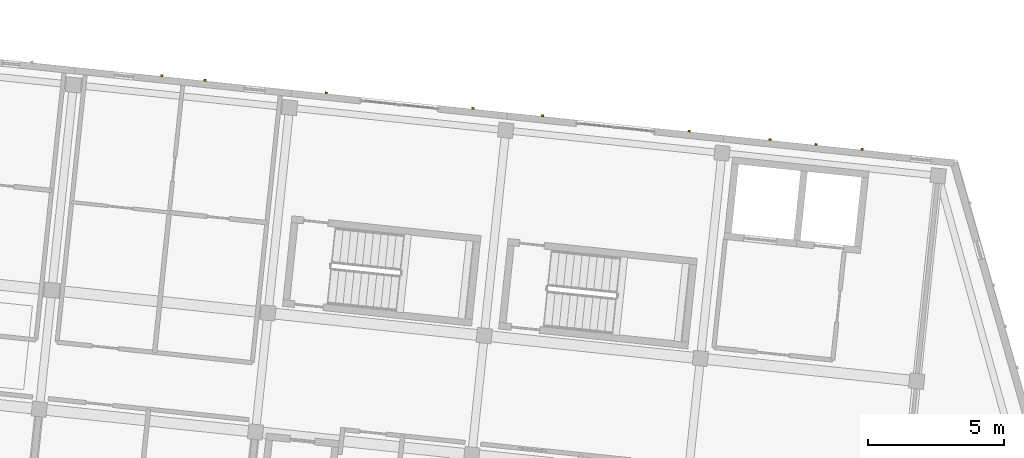
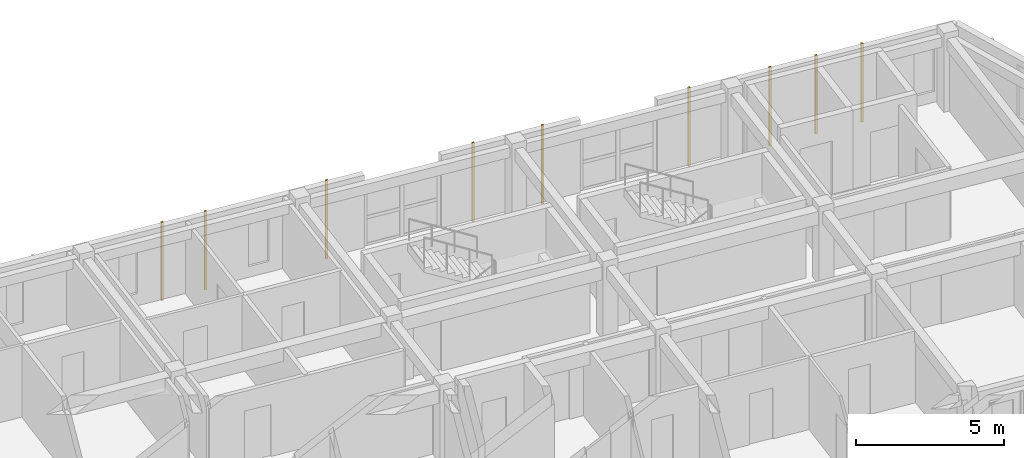
# One storey, part 73 of 74: 9 coverings.
"""IFC4 building model written with IfcOpenShell, lengths in metres."""

from ifc_helpers import new_model, si_unit, direction, frame, origin, origin_2d, place, context, subcontext, project, spatial, rectangle, extrude, material, layer, layer_set, type_object, element, save


model = new_model("IFC4")

# Units and contexts
model_context = context("Model", 3, precision=1e-05, world=origin(), true_north=direction((0.0, 1.0)))
body_context = subcontext(model_context, "Body", "Model", "MODEL_VIEW")
ifc_project = project(units=[si_unit("LENGTHUNIT", "METRE"), si_unit("AREAUNIT", "SQUARE_METRE"), si_unit("VOLUMEUNIT", "CUBIC_METRE"), si_unit("PLANEANGLEUNIT", "RADIAN"), si_unit("MASSUNIT", "GRAM", prefix="KILO")], contexts=[model_context])

# Site, building, storey
site_placement = place(None, origin())
site = spatial("IfcSite", under=ifc_project, at=site_placement, CompositionType="ELEMENT")
building_placement = place(site_placement, origin())
building = spatial("IfcBuilding", under=site, at=building_placement, Name="Kestramere Prow Commons", CompositionType="ELEMENT")
storey_placement = place(building_placement, frame((0.0, 0.0, 11.64990234375)))
storey = spatial("IfcBuildingStorey", under=building, at=storey_placement, Name="L03", CompositionType="ELEMENT", Elevation=11.64990234375)

# Coverings
ifc_material = material(Name="Weathered Zinc-Titanium Standing-Seam Cladding")
ifc_layer = layer(ifc_material, 0.074951171875)
ifc_layer_set = layer_set([ifc_layer], Name="Weathered Zinc-Titanium Standing-Seam Cladding")
covering_type = type_object("IfcCoveringType", Name="COV-CLAD-SEAM", PredefinedType="CLADDING", material=ifc_layer_set)
for number, where, z_axis, x_axis, name in (
    (1, (131.21435546875, 112.95947265625, -0.25), (0.0, 0.0, 1.0), (0.994521895368, -0.104528463268, 0.0), "EW-B-L03-N-2 Standing-Seam Rib 2"),
    (2, (132.8056640625, 112.792236328125, -0.25), (0.0, 0.0, 1.0), (0.994521895368, -0.104528463268, 0.0), "EW-B-L03-N-2 Standing-Seam Rib 3"),
    (3, (137.2685546875, 112.3232421875, -0.25), (0.0, 0.0, 1.0), (0.994521895368, -0.104528463268, 0.0), "EW-B-L03-NP-3-L Standing-Seam Rib 1"),
    (4, (142.663818359375, 111.756103515625, -0.25), (0.0, 0.0, 1.0), (0.994521895368, -0.104528463268, 0.0), "EW-B-L03-NP-3-R Standing-Seam Rib 1"),
    (5, (145.224609375, 111.48681640625, -0.25), (0.0, 0.0, 1.0), (0.994521895368, -0.104528463268, 0.0), "EW-B-L03-NP-4-L Standing-Seam Rib 1"),
    (6, (150.6201171875, 110.919921875, -0.25), (0.0, 0.0, 1.0), (0.994521895368, -0.104528463268, 0.0), "EW-B-L03-NP-4-R Standing-Seam Rib 1"),
    (7, (153.59619140625, 110.607177734375, -0.25), (0.0, 0.0, 1.0), (0.994521895368, -0.104528463268, 0.0), "EW-B-L03-N-5 Standing-Seam Rib 1"),
    (8, (155.291748046875, 110.428955078125, -0.25), (0.0, 0.0, 1.0), (0.994521895368, -0.104528463268, 0.0), "EW-B-L03-N-5 Standing-Seam Rib 2"),
    (9, (156.987548828125, 110.250732421875, -0.25), (0.0, 0.0, 1.0), (0.994521895368, -0.104528463268, 0.0), "EW-B-L03-N-5 Standing-Seam Rib 3"),
):
    element("IfcCovering", number, at=place(storey_placement, frame(where, z_axis=z_axis, x_axis=x_axis)), inside=storey, type_object=covering_type, Name=name, PredefinedType="CLADDING", context=body_context, shape_type="SweptSolid", body=[
        extrude(rectangle(XDim=0.0849609375, YDim=0.06494140625, at=origin_2d()), origin(), (0.0, 0.0, 1.0), 3.25),
    ])

save(model, "model.ifc")
